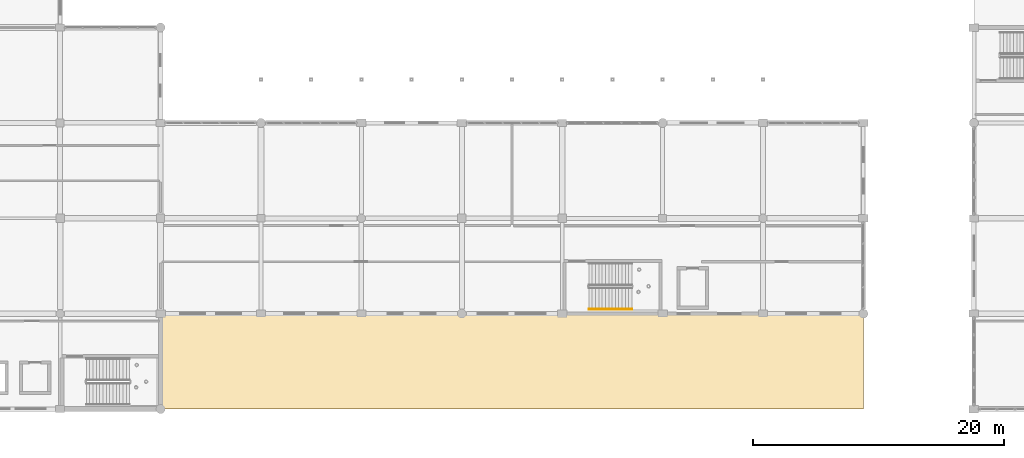
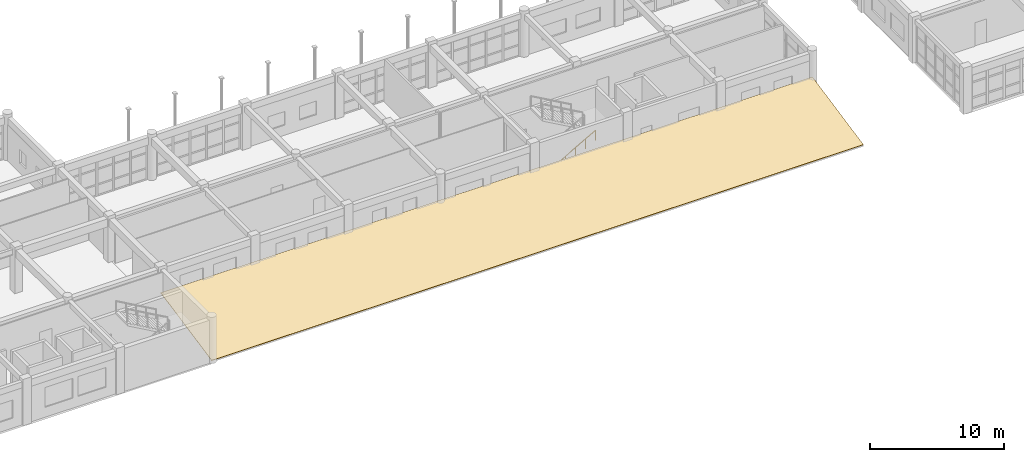
# One storey, part 185 of 195: 1 covering, 1 railing.
"""IFC4 building model written with IfcOpenShell, lengths in metres."""

import ifcopenshell
import ifcopenshell.guid

model = None  # the IFC model being written
_history = None  # IfcOwnerHistory: only IFC2X3 demands one
_inside = {}  # id of a spatial element -> (the spatial element, [elements in it])
_under = {}  # id of a project, library or spatial element -> (it, [spatial elements below it])
_declared = {}  # id of a project -> (the project, [libraries it declares])
_typed = {}  # id of a type object -> (the type object, [elements of that type])
_made_of = {}  # id of a material, layer set ... -> (it, [elements and type objects made of it])


def new_model(schema):
    """Start an empty IFC model of exactly this schema.

    Asked for "IFC4X3", IfcOpenShell would pick the latest addendum, in which some entities
    have other attributes; the version numbers below select the first issue.
    IFC2X3 requires an IfcOwnerHistory on every rooted entity: one is made here for all.
    """
    global model, _history
    if schema == "IFC4X3":
        model = ifcopenshell.file(schema_version=(4, 3, 0, 0))
    else:
        model = ifcopenshell.file(schema=schema)
    _inside.clear()
    _under.clear()
    _declared.clear()
    _typed.clear()
    _made_of.clear()
    _history = None
    if model.schema == "IFC2X3":
        org = make("IfcOrganization", Name="unknown")
        user = make(
            "IfcPersonAndOrganization",
            ThePerson=make("IfcPerson", FamilyName="unknown"),
            TheOrganization=org,
        )
        app = make(
            "IfcApplication",
            ApplicationDeveloper=org,
            Version="unknown",
            ApplicationFullName="unknown",
            ApplicationIdentifier="unknown",
        )
        _history = make(
            "IfcOwnerHistory",
            OwningUser=user,
            OwningApplication=app,
            ChangeAction="ADDED",
            CreationDate=0,
        )
    return model


def make(cls, **values):
    """One entity of the class cls with the attributes given. An attribute that is None is left unset."""
    return model.create_entity(
        cls, **{name: value for name, value in values.items() if value is not None}
    )


def rooted(cls, **values):
    """An entity with a GlobalId (a new one), such as an element, a storey or a relation."""
    return make(cls, GlobalId=ifcopenshell.guid.new(), OwnerHistory=_history, **values)


def si_unit(unit_type, name, prefix=None):
    """IfcSIUnit, for example si_unit("LENGTHUNIT", "METRE", prefix="MILLI")."""
    return make("IfcSIUnit", UnitType=unit_type, Prefix=prefix, Name=name)


def assignment(units):
    """IfcUnitAssignment: the units of a project."""
    return None if units is None else make("IfcUnitAssignment", Units=units)


def point(xyz):
    """IfcCartesianPoint."""
    return None if xyz is None else make("IfcCartesianPoint", Coordinates=xyz)


def direction(xyz):
    """IfcDirection."""
    return None if xyz is None else make("IfcDirection", DirectionRatios=xyz)


def frame(location, z_axis=None, x_axis=None):
    """IfcAxis2Placement3D, a coordinate frame: its origin and axes. An axis left out is left unset."""
    return make(
        "IfcAxis2Placement3D",
        Location=point(location),
        Axis=direction(z_axis),
        RefDirection=direction(x_axis),
    )


def frame_2d(location, x_axis=None):
    """IfcAxis2Placement2D, a coordinate frame in the plane: its origin and x axis."""
    return make(
        "IfcAxis2Placement2D", Location=point(location), RefDirection=direction(x_axis)
    )


def origin():
    """The frame at (0, 0, 0) with its axes left unset."""
    return frame((0.0, 0.0, 0.0))


def origin_2d():
    """The frame at (0, 0) in the plane with its x axis left unset."""
    return frame_2d((0.0, 0.0))


def place(relative_to, where):
    """IfcLocalPlacement: puts the frame where relative to a parent placement (None: the world)."""
    return make(
        "IfcLocalPlacement", PlacementRelTo=relative_to, RelativePlacement=where
    )


def context(
    kind, dimensions, precision=None, world=None, true_north=None, identifier=None
):
    """IfcGeometricRepresentationContext, for example the 3D "Model" context."""
    return make(
        "IfcGeometricRepresentationContext",
        ContextIdentifier=identifier,
        ContextType=kind,
        CoordinateSpaceDimension=dimensions,
        Precision=precision,
        WorldCoordinateSystem=world,
        TrueNorth=true_north,
    )


def subcontext(parent, identifier, kind, view, scale=None):
    """IfcGeometricRepresentationSubContext, for example "Body" below "Model"."""
    return make(
        "IfcGeometricRepresentationSubContext",
        ContextIdentifier=identifier,
        ContextType=kind,
        ParentContext=parent,
        TargetScale=scale,
        TargetView=view,
    )


def project(units=None, contexts=None):
    """IfcProject with its units and contexts."""
    return rooted(
        "IfcProject",
        Name="project",
        RepresentationContexts=contexts,
        UnitsInContext=assignment(units),
    )


def spatial(cls, under=None, at=None, **own):
    """A site, building, storey or space (cls), placed at a placement, below another one or the project."""
    s = rooted(cls, ObjectPlacement=at, **own)
    if under is not None:
        _under.setdefault(under.id(), (under, []))[1].append(s)
    return s


def polyline(points):
    """IfcPolyline through the points."""
    return make("IfcPolyline", Points=[point(p) for p in points])


def profile(cls, at=None, kind="AREA", **sizes):
    """A parametric profile (cls). Its sizes go by their IFC names, for example OverallWidth=200.0."""
    return make(cls, ProfileType=kind, Position=at, **sizes)


def circle(**sizes):
    """IfcCircleProfileDef."""
    return profile("IfcCircleProfileDef", **sizes)


def outline(outer, holes=None, kind="AREA"):
    """IfcArbitraryClosedProfileDef: a profile drawn as a closed curve; with holes, ...WithVoids."""
    if holes is None:
        return make("IfcArbitraryClosedProfileDef", ProfileType=kind, OuterCurve=outer)
    return make(
        "IfcArbitraryProfileDefWithVoids",
        ProfileType=kind,
        OuterCurve=outer,
        InnerCurves=holes,
    )


def extrude(swept, where, along, depth):
    """IfcExtrudedAreaSolid: the profile swept, set in the frame where, extruded along a direction by depth."""
    return make(
        "IfcExtrudedAreaSolid",
        SweptArea=swept,
        Position=where,
        ExtrudedDirection=direction(along),
        Depth=depth,
    )


def shape(context_of_items, identifier, shape_type, items):
    """IfcShapeRepresentation: the items that make up one representation, for example the "Body"."""
    return make(
        "IfcShapeRepresentation",
        ContextOfItems=context_of_items,
        RepresentationIdentifier=identifier,
        RepresentationType=shape_type,
        Items=items,
    )


def material(Name=None, Category=None):
    """IfcMaterial."""
    return make("IfcMaterial", Name=Name, Category=Category)


def layer(
    of_material, thickness, ventilated=None, Name=None, Category=None, Priority=None
):
    """IfcMaterialLayer: one layer of a wall or slab, of a material (None: an air gap)."""
    return make(
        "IfcMaterialLayer",
        Material=of_material,
        LayerThickness=thickness,
        IsVentilated=ventilated,
        Name=Name,
        Category=Category,
        Priority=Priority,
    )


def layer_set(layers, Name=None):
    """IfcMaterialLayerSet."""
    return make("IfcMaterialLayerSet", MaterialLayers=layers, LayerSetName=Name)


def made_of(thing, what):
    """Note that an element or type object is made of a material, layer set ...; save() writes the relation."""
    if what is not None:
        _made_of.setdefault(what.id(), (what, []))[1].append(thing)
    return thing


def type_object(cls, material=None, **own):
    """A type object (cls), such as IfcWallType, which elements share."""
    return made_of(rooted(cls, **own), material)


def element(
    cls,
    number,
    at=None,
    inside=None,
    cuts=None,
    type_object=None,
    material=None,
    context=None,
    identifier="Body",
    shape_type=None,
    held_by="IfcProductDefinitionShape",
    body=None,
    shapes=None,
    **own,
):
    """One element of the class cls, such as IfcWall. Its Tag is "e" and its number.

    at: its placement. inside: the storey or other place that contains it. cuts: it is an
    opening in that element (IfcRelVoidsElement). A single representation is given by context,
    identifier, shape_type and body (its items); several are given by shapes. held_by: the class
    of the entity that holds the representations. save() writes the other relations.
    """
    e = rooted(cls, Tag="e%d" % number, ObjectPlacement=at, **own)
    if body is not None:
        shapes = [shape(context, identifier, shape_type, body)]
    if shapes is not None:
        e.Representation = make(held_by, Representations=shapes)
    if inside is not None:
        _inside.setdefault(inside.id(), (inside, []))[1].append(e)
    if cuts is not None:
        rooted(
            "IfcRelVoidsElement", RelatingBuildingElement=cuts, RelatedOpeningElement=e
        )
    if type_object is not None:
        _typed.setdefault(type_object.id(), (type_object, []))[1].append(e)
    return made_of(e, material)


def aggregate(whole, parts):
    """IfcRelAggregates: a whole, such as a stair, and the parts it consists of."""
    return rooted("IfcRelAggregates", RelatingObject=whole, RelatedObjects=parts)


def save(model, path):
    """Write the relations noted so far, then the file.

    IfcRelAggregates (storeys below a building ...), IfcRelContainedInSpatialStructure (elements
    in a storey), IfcRelDefinesByType, IfcRelAssociatesMaterial and IfcRelDeclares: one each for
    every whole, place, type object, material and project.
    """
    for whole, parts in _under.values():
        aggregate(whole, parts)
    for where, things in _inside.values():
        rooted(
            "IfcRelContainedInSpatialStructure",
            RelatedElements=things,
            RelatingStructure=where,
        )
    for kind, things in _typed.values():
        rooted("IfcRelDefinesByType", RelatedObjects=things, RelatingType=kind)
    for what, things in _made_of.values():
        rooted("IfcRelAssociatesMaterial", RelatedObjects=things, RelatingMaterial=what)
    for by, libraries in _declared.values():
        rooted("IfcRelDeclares", RelatingContext=by, RelatedDefinitions=libraries)
    model.write(path)


model = new_model("IFC4")

# Units and contexts
model_context = context("Model", 3, precision=1e-05, world=origin(), true_north=direction((0.0, 1.0)))
body_context = subcontext(model_context, "Body", "Model", "MODEL_VIEW")
ifc_project = project(units=[si_unit("LENGTHUNIT", "METRE"), si_unit("AREAUNIT", "SQUARE_METRE"), si_unit("VOLUMEUNIT", "CUBIC_METRE"), si_unit("PLANEANGLEUNIT", "RADIAN"), si_unit("MASSUNIT", "GRAM", prefix="KILO")], contexts=[model_context])

# Site, building, storey
site_placement = place(None, origin())
site = spatial("IfcSite", under=ifc_project, at=site_placement, CompositionType="ELEMENT")
building_placement = place(site_placement, origin())
building = spatial("IfcBuilding", under=site, at=building_placement, Name="Kharva Crest Polytechnic", CompositionType="ELEMENT")
storey_placement = place(building_placement, frame((0.0, 0.0, 9.0)))
storey = spatial("IfcBuildingStorey", under=building, at=storey_placement, Name="L02", CompositionType="ELEMENT", Elevation=9.0)

# Covering
ifc_material_1 = material(Name="Anodised aluminium", Category="aluminium")
ifc_layer = layer(ifc_material_1, 0.044921875, Name="Anodised aluminium")
ifc_layer_set = layer_set([ifc_layer], Name="Anodised aluminium")
covering_type = type_object("IfcCoveringType", Name="COV-ROOF-MEMBRANE", PredefinedType="ROOFING", material=ifc_layer_set)
covering_placement = place(storey_placement, frame((56.0, 0.0, 0.044921875), z_axis=(0.0, -0.199837292878, 0.979829095493), x_axis=(1.0, 0.0, 0.0)))
element("IfcCovering", 1, at=covering_placement, inside=storey, type_object=covering_type, Name="L02 Standing-Seam Roof Covering 19", PredefinedType="ROOFING", context=body_context, shape_type="SweptSolid", body=[
    extrude(outline(polyline([(0.0, 0.0), (56.0, 0.0), (56.0, 7.756554373825303), (0.0, 7.756554373825303), (0.0, 0.0)])), origin(), (0.0, 0.0, -1.0), 0.044921875),
])

# Railing
ifc_material_2 = material(Name="Teak timber", Category="wood")
railing_type = type_object("IfcRailingType", Name="RL-STAIR-HAND-900", PredefinedType="HANDRAIL", material=ifc_material_2)
railing_placement = place(storey_placement, frame((90.1201171875, 7.949951171875, 0.14990234375)))
element("IfcRailing", 2, at=railing_placement, inside=storey, type_object=railing_type, Name="L02 ST-08 stair handrail 1", PredefinedType="HANDRAIL", context=body_context, shape_type="SweptSolid", body=[
    extrude(circle(Radius=0.02392578125, at=origin_2d()), frame((0.0, 0.0, 0.8759765625), z_axis=(0.870224926921, 0.0, 0.492654621987), x_axis=(0.0, 1.0, 0.0)), (0.0, 0.0, 1.0), 3.95849609375),
    extrude(circle(Radius=0.02099609375, at=origin_2d()), origin(), (0.0, 0.0, 1.0), 0.851806640625),
    extrude(circle(Radius=0.02099609375, at=origin_2d()), frame((0.861328125, 0.0, 0.487548828125)), (0.0, 0.0, 1.0), 0.851806640625),
    extrude(circle(Radius=0.02099609375, at=origin_2d()), frame((1.722412109375, 0.0, 0.97509765625)), (0.0, 0.0, 1.0), 0.851806640625),
    extrude(circle(Radius=0.02099609375, at=origin_2d()), frame((2.58349609375, 0.0, 1.462646484375)), (0.0, 0.0, 1.0), 0.851806640625),
    extrude(circle(Radius=0.02099609375, at=origin_2d()), frame((3.44482421875, 0.0, 1.9501953125)), (0.0, 0.0, 1.0), 0.851806640625),
])

save(model, "model.ifc")
